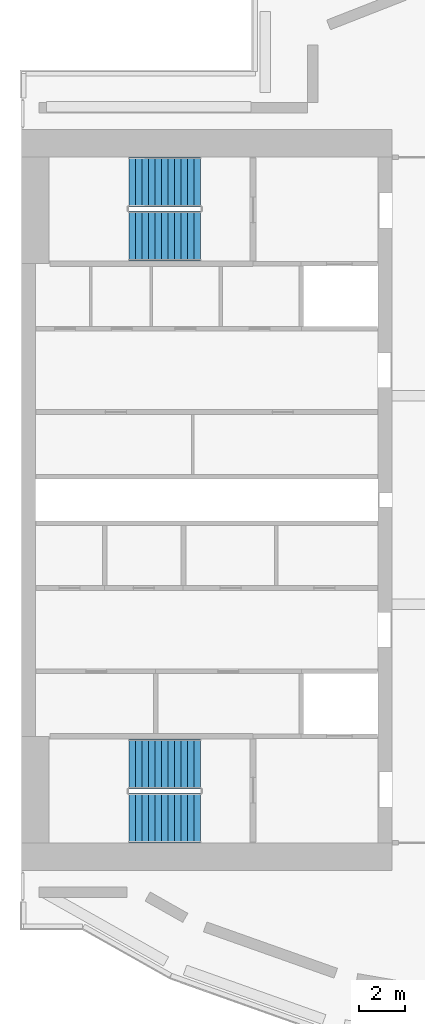
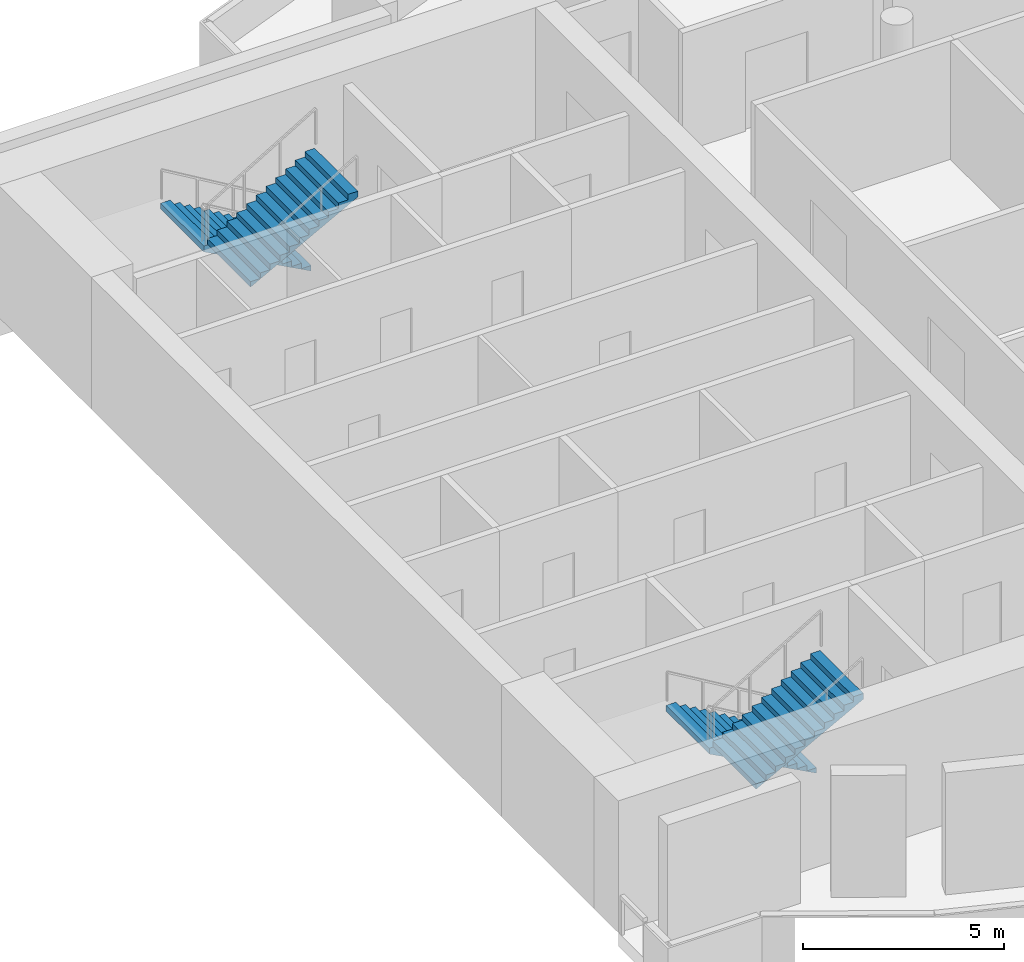
# One storey, part 5 of 8: 4 stair flights, 2 elements without a shape of their own.
"""IFC4 building model written with IfcOpenShell, lengths in metres."""

from ifc_helpers import new_model, si_unit, direction, frame, origin, place, context, subcontext, project, spatial, triangles, material, type_object, element, aggregate, save


model = new_model("IFC4")

# Units and contexts
model_context = context("Model", 3, precision=1e-05, world=origin(), true_north=direction((0.0, 1.0)))
body_context = subcontext(model_context, "Body", "Model", "MODEL_VIEW")
ifc_project = project(units=[si_unit("LENGTHUNIT", "METRE"), si_unit("AREAUNIT", "SQUARE_METRE"), si_unit("VOLUMEUNIT", "CUBIC_METRE"), si_unit("PLANEANGLEUNIT", "RADIAN"), si_unit("MASSUNIT", "GRAM", prefix="KILO")], contexts=[model_context])

# Site, building, storey
site_placement = place(None, origin())
site = spatial("IfcSite", under=ifc_project, at=site_placement, CompositionType="ELEMENT")
building_placement = place(site_placement, origin())
building = spatial("IfcBuilding", under=site, at=building_placement, Name="Cypress Arch Tower", CompositionType="ELEMENT")
storey_placement = place(building_placement, frame((0.0, 0.0, 343.0)))
storey = spatial("IfcBuildingStorey", under=building, at=storey_placement, Name="L78", CompositionType="ELEMENT", Elevation=343.0)

# Stair, stair flights
ifc_material_1 = material(Name="Concrete C40/50", Category="concrete")
stair_type = type_object("IfcStairType", Name="Exit stair ES1667-215", PredefinedType="HALF_TURN_STAIR", material=ifc_material_1)
stair_1_placement = place(storey_placement, origin())
stair_1 = element("IfcStair", 1, at=stair_1_placement, inside=storey, type_object=stair_type, Name="L78 Exit stair A", PredefinedType="HALF_TURN_STAIR")
ifc_material_2 = material(Name="Concrete C40/50", Category="concrete")
stair_flight_type = type_object("IfcStairFlightType", Name="Exit stair flight ES1667-215", PredefinedType="STRAIGHT", material=ifc_material_2)
stair_flight_1_placement = place(storey_placement, frame((-22.27490234375, -11.39990234375, 0.0), z_axis=(0.0, 0.0, 1.0), x_axis=(-1.0, 0.0, 0.0)))
stair_flight_1 = element("IfcStairFlight", 2, at=stair_flight_1_placement, type_object=stair_flight_type, Name="A flight 1", NumberOfRisers=12, NumberOfTreads=11, PredefinedType="STRAIGHT", RiserHeight=0.166666667, TreadLength=0.28, context=body_context, shape_type="Tessellation", body=[
    triangles([(0.0, -1.074951171875, 0.0), (0.000244140625, -1.074951171875, 0.0185546875), (0.000244140625, -1.074951171875, 0.037109375), (0.00048828125, -1.074951171875, 0.0556640625), (0.00048828125, -1.074951171875, 0.07421875), (0.00048828125, -1.074951171875, 0.092529296875), (0.00048828125, -1.074951171875, 0.111083984375), (0.000244140625, -1.074951171875, 0.129638671875), (0.000244140625, -1.074951171875, 0.148193359375), (0.0, -1.074951171875, 0.166748046875), (0.280029296875, -1.074951171875, 0.166748046875), (0.280029296875, -1.074951171875, 0.333251953125), (0.56005859375, -1.074951171875, 0.333251953125), (0.56005859375, -1.074951171875, 0.5), (0.840087890625, -1.074951171875, 0.5), (0.840087890625, -1.074951171875, 0.666748046875), (1.1201171875, -1.074951171875, 0.666748046875), (1.1201171875, -1.074951171875, 0.833251953125), (1.39990234375, -1.074951171875, 0.833251953125), (1.39990234375, -1.074951171875, 1.0), (1.679931640625, -1.074951171875, 1.0), (1.679931640625, -1.074951171875, 1.166748046875), (1.9599609375, -1.074951171875, 1.166748046875), (1.9599609375, -1.074951171875, 1.333251953125), (2.239990234375, -1.074951171875, 1.333251953125), (2.239990234375, -1.074951171875, 1.5), (2.52001953125, -1.074951171875, 1.5), (2.52001953125, -1.074951171875, 1.666748046875), (2.800048828125, -1.074951171875, 1.666748046875), (2.800048828125, -1.074951171875, 1.833251953125), (3.080078125, -1.074951171875, 1.833251953125), (3.079833984375, -1.074951171875, 1.81396484375), (3.079833984375, -1.074951171875, 1.79443359375), (3.07958984375, -1.074951171875, 1.775146484375), (3.07958984375, -1.074951171875, 1.755859375), (3.07958984375, -1.074951171875, 1.736328125), (3.07958984375, -1.074951171875, 1.717041015625), (3.079833984375, -1.074951171875, 1.69775390625), (3.079833984375, -1.074951171875, 1.67822265625), (3.080078125, -1.074951171875, 1.658935546875), (3.080078125, 1.074951171875, 1.658935546875), (3.079833984375, 1.074951171875, 1.67822265625), (3.079833984375, 1.074951171875, 1.69775390625), (3.07958984375, 1.074951171875, 1.717041015625), (3.07958984375, 1.074951171875, 1.736328125), (3.07958984375, 1.074951171875, 1.755859375), (3.07958984375, 1.074951171875, 1.775146484375), (3.079833984375, 1.074951171875, 1.79443359375), (3.079833984375, 1.074951171875, 1.81396484375), (3.080078125, 1.074951171875, 1.833251953125), (2.800048828125, 1.074951171875, 1.833251953125), (2.800048828125, 1.074951171875, 1.666748046875), (2.52001953125, 1.074951171875, 1.666748046875), (2.52001953125, 1.074951171875, 1.5), (2.239990234375, 1.074951171875, 1.5), (2.239990234375, 1.074951171875, 1.333251953125), (1.9599609375, 1.074951171875, 1.333251953125), (1.9599609375, 1.074951171875, 1.166748046875), (1.679931640625, 1.074951171875, 1.166748046875), (1.679931640625, 1.074951171875, 1.0), (1.39990234375, 1.074951171875, 1.0), (1.39990234375, 1.074951171875, 0.833251953125), (1.1201171875, 1.074951171875, 0.833251953125), (1.1201171875, 1.074951171875, 0.666748046875), (0.840087890625, 1.074951171875, 0.666748046875), (0.840087890625, 1.074951171875, 0.5), (0.56005859375, 1.074951171875, 0.5), (0.56005859375, 1.074951171875, 0.333251953125), (0.280029296875, 1.074951171875, 0.333251953125), (0.280029296875, 1.074951171875, 0.166748046875), (0.0, 1.074951171875, 0.166748046875), (0.000244140625, 1.074951171875, 0.148193359375), (0.000244140625, 1.074951171875, 0.129638671875), (0.00048828125, 1.074951171875, 0.111083984375), (0.00048828125, 1.074951171875, 0.092529296875), (0.00048828125, 1.074951171875, 0.07421875), (0.00048828125, 1.074951171875, 0.0556640625), (0.000244140625, 1.074951171875, 0.037109375), (0.000244140625, 1.074951171875, 0.0185546875), (0.0, 1.074951171875, 0.0)], [[40, 39, 30], [39, 38, 30], [38, 37, 30], [37, 36, 30], [36, 35, 30], [35, 34, 30], [34, 33, 30], [33, 32, 30], [32, 31, 30], [29, 28, 27], [27, 26, 25], [23, 22, 21], [21, 20, 19], [17, 16, 15], [15, 14, 13], [10, 9, 11], [9, 8, 11], [8, 7, 11], [7, 6, 11], [6, 5, 11], [5, 4, 11], [4, 3, 11], [3, 2, 11], [2, 1, 11], [19, 18, 17], [25, 24, 23], [13, 12, 11], [40, 30, 29], [40, 29, 27], [40, 27, 25], [40, 25, 23], [40, 23, 21], [40, 21, 19], [40, 19, 17], [40, 17, 15], [40, 15, 13], [1, 40, 13], [13, 11, 1], [41, 51, 42], [42, 51, 43], [43, 51, 44], [44, 51, 45], [45, 51, 46], [46, 51, 47], [47, 51, 48], [48, 51, 49], [49, 51, 50], [52, 54, 53], [54, 56, 55], [58, 60, 59], [60, 62, 61], [64, 66, 65], [66, 68, 67], [71, 70, 72], [72, 70, 73], [73, 70, 74], [74, 70, 75], [75, 70, 76], [76, 70, 77], [77, 70, 78], [78, 70, 79], [79, 70, 80], [62, 64, 63], [56, 58, 57], [68, 70, 69], [41, 52, 51], [41, 54, 52], [41, 56, 54], [41, 58, 56], [41, 60, 58], [41, 62, 60], [41, 64, 62], [41, 66, 64], [41, 68, 66], [80, 68, 41], [68, 80, 70], [41, 42, 39], [41, 39, 40], [42, 43, 38], [42, 38, 39], [43, 44, 37], [43, 37, 38], [44, 45, 36], [44, 36, 37], [45, 46, 35], [45, 35, 36], [46, 47, 34], [46, 34, 35], [47, 48, 33], [47, 33, 34], [48, 49, 32], [48, 32, 33], [49, 50, 31], [49, 31, 32], [50, 51, 30], [50, 30, 31], [51, 52, 29], [51, 29, 30], [52, 53, 28], [52, 28, 29], [53, 54, 27], [53, 27, 28], [54, 55, 26], [54, 26, 27], [55, 56, 25], [55, 25, 26], [56, 57, 24], [56, 24, 25], [57, 58, 23], [57, 23, 24], [58, 59, 22], [58, 22, 23], [59, 60, 21], [59, 21, 22], [60, 61, 20], [60, 20, 21], [61, 62, 19], [61, 19, 20], [62, 63, 18], [62, 18, 19], [63, 64, 17], [63, 17, 18], [64, 65, 16], [64, 16, 17], [65, 66, 15], [65, 15, 16], [66, 67, 14], [66, 14, 15], [67, 68, 13], [67, 13, 14], [68, 69, 12], [68, 12, 13], [69, 70, 11], [69, 11, 12], [70, 71, 10], [70, 10, 11], [71, 72, 9], [71, 9, 10], [72, 73, 8], [72, 8, 9], [73, 74, 7], [73, 7, 8], [74, 75, 6], [74, 6, 7], [75, 76, 5], [75, 5, 6], [76, 77, 4], [76, 4, 5], [77, 78, 3], [77, 3, 4], [78, 79, 2], [78, 2, 3], [79, 80, 1], [79, 1, 2], [80, 41, 40], [80, 40, 1]], closed=True),
])
stair_flight_2_placement = place(storey_placement, frame((-25.35498046875, -13.72509765625, 2.0), z_axis=(0.0, 0.0, 1.0), x_axis=(1.0, 0.0, 0.0)))
stair_flight_2 = element("IfcStairFlight", 3, at=stair_flight_2_placement, type_object=stair_flight_type, Name="A flight 2", NumberOfRisers=12, NumberOfTreads=11, PredefinedType="STRAIGHT", RiserHeight=0.166666667, TreadLength=0.28, context=body_context, shape_type="Tessellation", body=[
    triangles([(0.0, -1.074951171875, 0.0), (0.000244140625, -1.074951171875, 0.0185546875), (0.000244140625, -1.074951171875, 0.037109375), (0.00048828125, -1.074951171875, 0.0556640625), (0.00048828125, -1.074951171875, 0.07421875), (0.00048828125, -1.074951171875, 0.092529296875), (0.00048828125, -1.074951171875, 0.111083984375), (0.000244140625, -1.074951171875, 0.129638671875), (0.000244140625, -1.074951171875, 0.148193359375), (0.0, -1.074951171875, 0.166748046875), (0.280029296875, -1.074951171875, 0.166748046875), (0.280029296875, -1.074951171875, 0.333251953125), (0.56005859375, -1.074951171875, 0.333251953125), (0.56005859375, -1.074951171875, 0.5), (0.840087890625, -1.074951171875, 0.5), (0.840087890625, -1.074951171875, 0.666748046875), (1.1201171875, -1.074951171875, 0.666748046875), (1.1201171875, -1.074951171875, 0.833251953125), (1.39990234375, -1.074951171875, 0.833251953125), (1.39990234375, -1.074951171875, 1.0), (1.679931640625, -1.074951171875, 1.0), (1.679931640625, -1.074951171875, 1.166748046875), (1.9599609375, -1.074951171875, 1.166748046875), (1.9599609375, -1.074951171875, 1.333251953125), (2.239990234375, -1.074951171875, 1.333251953125), (2.239990234375, -1.074951171875, 1.5), (2.52001953125, -1.074951171875, 1.5), (2.52001953125, -1.074951171875, 1.666748046875), (2.800048828125, -1.074951171875, 1.666748046875), (2.800048828125, -1.074951171875, 1.833251953125), (3.080078125, -1.074951171875, 1.833251953125), (3.079833984375, -1.074951171875, 1.81396484375), (3.079833984375, -1.074951171875, 1.79443359375), (3.07958984375, -1.074951171875, 1.775146484375), (3.07958984375, -1.074951171875, 1.755859375), (3.07958984375, -1.074951171875, 1.736328125), (3.07958984375, -1.074951171875, 1.717041015625), (3.079833984375, -1.074951171875, 1.69775390625), (3.079833984375, -1.074951171875, 1.67822265625), (3.080078125, -1.074951171875, 1.658935546875), (3.080078125, 1.074951171875, 1.658935546875), (3.079833984375, 1.074951171875, 1.67822265625), (3.079833984375, 1.074951171875, 1.69775390625), (3.07958984375, 1.074951171875, 1.717041015625), (3.07958984375, 1.074951171875, 1.736328125), (3.07958984375, 1.074951171875, 1.755859375), (3.07958984375, 1.074951171875, 1.775146484375), (3.079833984375, 1.074951171875, 1.79443359375), (3.079833984375, 1.074951171875, 1.81396484375), (3.080078125, 1.074951171875, 1.833251953125), (2.800048828125, 1.074951171875, 1.833251953125), (2.800048828125, 1.074951171875, 1.666748046875), (2.52001953125, 1.074951171875, 1.666748046875), (2.52001953125, 1.074951171875, 1.5), (2.239990234375, 1.074951171875, 1.5), (2.239990234375, 1.074951171875, 1.333251953125), (1.9599609375, 1.074951171875, 1.333251953125), (1.9599609375, 1.074951171875, 1.166748046875), (1.679931640625, 1.074951171875, 1.166748046875), (1.679931640625, 1.074951171875, 1.0), (1.39990234375, 1.074951171875, 1.0), (1.39990234375, 1.074951171875, 0.833251953125), (1.1201171875, 1.074951171875, 0.833251953125), (1.1201171875, 1.074951171875, 0.666748046875), (0.840087890625, 1.074951171875, 0.666748046875), (0.840087890625, 1.074951171875, 0.5), (0.56005859375, 1.074951171875, 0.5), (0.56005859375, 1.074951171875, 0.333251953125), (0.280029296875, 1.074951171875, 0.333251953125), (0.280029296875, 1.074951171875, 0.166748046875), (0.0, 1.074951171875, 0.166748046875), (0.000244140625, 1.074951171875, 0.148193359375), (0.000244140625, 1.074951171875, 0.129638671875), (0.00048828125, 1.074951171875, 0.111083984375), (0.00048828125, 1.074951171875, 0.092529296875), (0.00048828125, 1.074951171875, 0.07421875), (0.00048828125, 1.074951171875, 0.0556640625), (0.000244140625, 1.074951171875, 0.037109375), (0.000244140625, 1.074951171875, 0.0185546875), (0.0, 1.074951171875, 0.0)], [[40, 39, 30], [39, 38, 30], [38, 37, 30], [37, 36, 30], [36, 35, 30], [35, 34, 30], [34, 33, 30], [33, 32, 30], [32, 31, 30], [29, 28, 27], [27, 26, 25], [23, 22, 21], [21, 20, 19], [17, 16, 15], [15, 14, 13], [10, 9, 11], [9, 8, 11], [8, 7, 11], [7, 6, 11], [6, 5, 11], [5, 4, 11], [4, 3, 11], [3, 2, 11], [2, 1, 11], [19, 18, 17], [25, 24, 23], [13, 12, 11], [40, 30, 29], [40, 29, 27], [40, 27, 25], [40, 25, 23], [40, 23, 21], [40, 21, 19], [40, 19, 17], [40, 17, 15], [40, 15, 13], [1, 40, 13], [13, 11, 1], [41, 51, 42], [42, 51, 43], [43, 51, 44], [44, 51, 45], [45, 51, 46], [46, 51, 47], [47, 51, 48], [48, 51, 49], [49, 51, 50], [52, 54, 53], [54, 56, 55], [58, 60, 59], [60, 62, 61], [64, 66, 65], [66, 68, 67], [71, 70, 72], [72, 70, 73], [73, 70, 74], [74, 70, 75], [75, 70, 76], [76, 70, 77], [77, 70, 78], [78, 70, 79], [79, 70, 80], [62, 64, 63], [56, 58, 57], [68, 70, 69], [41, 52, 51], [41, 54, 52], [41, 56, 54], [41, 58, 56], [41, 60, 58], [41, 62, 60], [41, 64, 62], [41, 66, 64], [41, 68, 66], [80, 68, 41], [68, 80, 70], [41, 42, 39], [41, 39, 40], [42, 43, 38], [42, 38, 39], [43, 44, 37], [43, 37, 38], [44, 45, 36], [44, 36, 37], [45, 46, 35], [45, 35, 36], [46, 47, 34], [46, 34, 35], [47, 48, 33], [47, 33, 34], [48, 49, 32], [48, 32, 33], [49, 50, 31], [49, 31, 32], [50, 51, 30], [50, 30, 31], [51, 52, 29], [51, 29, 30], [52, 53, 28], [52, 28, 29], [53, 54, 27], [53, 27, 28], [54, 55, 26], [54, 26, 27], [55, 56, 25], [55, 25, 26], [56, 57, 24], [56, 24, 25], [57, 58, 23], [57, 23, 24], [58, 59, 22], [58, 22, 23], [59, 60, 21], [59, 21, 22], [60, 61, 20], [60, 20, 21], [61, 62, 19], [61, 19, 20], [62, 63, 18], [62, 18, 19], [63, 64, 17], [63, 17, 18], [64, 65, 16], [64, 16, 17], [65, 66, 15], [65, 15, 16], [66, 67, 14], [66, 14, 15], [67, 68, 13], [67, 13, 14], [68, 69, 12], [68, 12, 13], [69, 70, 11], [69, 11, 12], [70, 71, 10], [70, 10, 11], [71, 72, 9], [71, 9, 10], [72, 73, 8], [72, 8, 9], [73, 74, 7], [73, 7, 8], [74, 75, 6], [74, 6, 7], [75, 76, 5], [75, 5, 6], [76, 77, 4], [76, 4, 5], [77, 78, 3], [77, 3, 4], [78, 79, 2], [78, 2, 3], [79, 80, 1], [79, 1, 2], [80, 41, 40], [80, 40, 1]], closed=True),
])
aggregate(stair_1, [stair_flight_1, stair_flight_2])

stair_2_placement = place(storey_placement, origin())
stair_2 = element("IfcStair", 4, at=stair_2_placement, inside=storey, type_object=stair_type, Name="L78 Exit stair B", PredefinedType="HALF_TURN_STAIR")
stair_flight_3_placement = place(storey_placement, frame((-22.27490234375, 13.72509765625, 0.0), z_axis=(0.0, 0.0, 1.0), x_axis=(-1.0, 0.0, 0.0)))
stair_flight_3 = element("IfcStairFlight", 5, at=stair_flight_3_placement, type_object=stair_flight_type, Name="B flight 1", NumberOfRisers=12, NumberOfTreads=11, PredefinedType="STRAIGHT", RiserHeight=0.166666667, TreadLength=0.28, context=body_context, shape_type="Tessellation", body=[
    triangles([(0.0, -1.074951171875, 0.0), (0.000244140625, -1.074951171875, 0.0185546875), (0.000244140625, -1.074951171875, 0.037109375), (0.00048828125, -1.074951171875, 0.0556640625), (0.00048828125, -1.074951171875, 0.07421875), (0.00048828125, -1.074951171875, 0.092529296875), (0.00048828125, -1.074951171875, 0.111083984375), (0.000244140625, -1.074951171875, 0.129638671875), (0.000244140625, -1.074951171875, 0.148193359375), (0.0, -1.074951171875, 0.166748046875), (0.280029296875, -1.074951171875, 0.166748046875), (0.280029296875, -1.074951171875, 0.333251953125), (0.56005859375, -1.074951171875, 0.333251953125), (0.56005859375, -1.074951171875, 0.5), (0.840087890625, -1.074951171875, 0.5), (0.840087890625, -1.074951171875, 0.666748046875), (1.1201171875, -1.074951171875, 0.666748046875), (1.1201171875, -1.074951171875, 0.833251953125), (1.39990234375, -1.074951171875, 0.833251953125), (1.39990234375, -1.074951171875, 1.0), (1.679931640625, -1.074951171875, 1.0), (1.679931640625, -1.074951171875, 1.166748046875), (1.9599609375, -1.074951171875, 1.166748046875), (1.9599609375, -1.074951171875, 1.333251953125), (2.239990234375, -1.074951171875, 1.333251953125), (2.239990234375, -1.074951171875, 1.5), (2.52001953125, -1.074951171875, 1.5), (2.52001953125, -1.074951171875, 1.666748046875), (2.800048828125, -1.074951171875, 1.666748046875), (2.800048828125, -1.074951171875, 1.833251953125), (3.080078125, -1.074951171875, 1.833251953125), (3.079833984375, -1.074951171875, 1.81396484375), (3.079833984375, -1.074951171875, 1.79443359375), (3.07958984375, -1.074951171875, 1.775146484375), (3.07958984375, -1.074951171875, 1.755859375), (3.07958984375, -1.074951171875, 1.736328125), (3.07958984375, -1.074951171875, 1.717041015625), (3.079833984375, -1.074951171875, 1.69775390625), (3.079833984375, -1.074951171875, 1.67822265625), (3.080078125, -1.074951171875, 1.658935546875), (3.080078125, 1.074951171875, 1.658935546875), (3.079833984375, 1.074951171875, 1.67822265625), (3.079833984375, 1.074951171875, 1.69775390625), (3.07958984375, 1.074951171875, 1.717041015625), (3.07958984375, 1.074951171875, 1.736328125), (3.07958984375, 1.074951171875, 1.755859375), (3.07958984375, 1.074951171875, 1.775146484375), (3.079833984375, 1.074951171875, 1.79443359375), (3.079833984375, 1.074951171875, 1.81396484375), (3.080078125, 1.074951171875, 1.833251953125), (2.800048828125, 1.074951171875, 1.833251953125), (2.800048828125, 1.074951171875, 1.666748046875), (2.52001953125, 1.074951171875, 1.666748046875), (2.52001953125, 1.074951171875, 1.5), (2.239990234375, 1.074951171875, 1.5), (2.239990234375, 1.074951171875, 1.333251953125), (1.9599609375, 1.074951171875, 1.333251953125), (1.9599609375, 1.074951171875, 1.166748046875), (1.679931640625, 1.074951171875, 1.166748046875), (1.679931640625, 1.074951171875, 1.0), (1.39990234375, 1.074951171875, 1.0), (1.39990234375, 1.074951171875, 0.833251953125), (1.1201171875, 1.074951171875, 0.833251953125), (1.1201171875, 1.074951171875, 0.666748046875), (0.840087890625, 1.074951171875, 0.666748046875), (0.840087890625, 1.074951171875, 0.5), (0.56005859375, 1.074951171875, 0.5), (0.56005859375, 1.074951171875, 0.333251953125), (0.280029296875, 1.074951171875, 0.333251953125), (0.280029296875, 1.074951171875, 0.166748046875), (0.0, 1.074951171875, 0.166748046875), (0.000244140625, 1.074951171875, 0.148193359375), (0.000244140625, 1.074951171875, 0.129638671875), (0.00048828125, 1.074951171875, 0.111083984375), (0.00048828125, 1.074951171875, 0.092529296875), (0.00048828125, 1.074951171875, 0.07421875), (0.00048828125, 1.074951171875, 0.0556640625), (0.000244140625, 1.074951171875, 0.037109375), (0.000244140625, 1.074951171875, 0.0185546875), (0.0, 1.074951171875, 0.0)], [[40, 39, 30], [39, 38, 30], [38, 37, 30], [37, 36, 30], [36, 35, 30], [35, 34, 30], [34, 33, 30], [33, 32, 30], [32, 31, 30], [29, 28, 27], [27, 26, 25], [23, 22, 21], [21, 20, 19], [17, 16, 15], [15, 14, 13], [10, 9, 11], [9, 8, 11], [8, 7, 11], [7, 6, 11], [6, 5, 11], [5, 4, 11], [4, 3, 11], [3, 2, 11], [2, 1, 11], [19, 18, 17], [25, 24, 23], [13, 12, 11], [40, 30, 29], [40, 29, 27], [40, 27, 25], [40, 25, 23], [40, 23, 21], [40, 21, 19], [40, 19, 17], [40, 17, 15], [40, 15, 13], [1, 40, 13], [13, 11, 1], [41, 51, 42], [42, 51, 43], [43, 51, 44], [44, 51, 45], [45, 51, 46], [46, 51, 47], [47, 51, 48], [48, 51, 49], [49, 51, 50], [52, 54, 53], [54, 56, 55], [58, 60, 59], [60, 62, 61], [64, 66, 65], [66, 68, 67], [71, 70, 72], [72, 70, 73], [73, 70, 74], [74, 70, 75], [75, 70, 76], [76, 70, 77], [77, 70, 78], [78, 70, 79], [79, 70, 80], [62, 64, 63], [56, 58, 57], [68, 70, 69], [41, 52, 51], [41, 54, 52], [41, 56, 54], [41, 58, 56], [41, 60, 58], [41, 62, 60], [41, 64, 62], [41, 66, 64], [41, 68, 66], [80, 68, 41], [68, 80, 70], [41, 42, 39], [41, 39, 40], [42, 43, 38], [42, 38, 39], [43, 44, 37], [43, 37, 38], [44, 45, 36], [44, 36, 37], [45, 46, 35], [45, 35, 36], [46, 47, 34], [46, 34, 35], [47, 48, 33], [47, 33, 34], [48, 49, 32], [48, 32, 33], [49, 50, 31], [49, 31, 32], [50, 51, 30], [50, 30, 31], [51, 52, 29], [51, 29, 30], [52, 53, 28], [52, 28, 29], [53, 54, 27], [53, 27, 28], [54, 55, 26], [54, 26, 27], [55, 56, 25], [55, 25, 26], [56, 57, 24], [56, 24, 25], [57, 58, 23], [57, 23, 24], [58, 59, 22], [58, 22, 23], [59, 60, 21], [59, 21, 22], [60, 61, 20], [60, 20, 21], [61, 62, 19], [61, 19, 20], [62, 63, 18], [62, 18, 19], [63, 64, 17], [63, 17, 18], [64, 65, 16], [64, 16, 17], [65, 66, 15], [65, 15, 16], [66, 67, 14], [66, 14, 15], [67, 68, 13], [67, 13, 14], [68, 69, 12], [68, 12, 13], [69, 70, 11], [69, 11, 12], [70, 71, 10], [70, 10, 11], [71, 72, 9], [71, 9, 10], [72, 73, 8], [72, 8, 9], [73, 74, 7], [73, 7, 8], [74, 75, 6], [74, 6, 7], [75, 76, 5], [75, 5, 6], [76, 77, 4], [76, 4, 5], [77, 78, 3], [77, 3, 4], [78, 79, 2], [78, 2, 3], [79, 80, 1], [79, 1, 2], [80, 41, 40], [80, 40, 1]], closed=True),
])
stair_flight_4_placement = place(storey_placement, frame((-25.35498046875, 11.39990234375, 2.0), z_axis=(0.0, 0.0, 1.0), x_axis=(1.0, 0.0, 0.0)))
stair_flight_4 = element("IfcStairFlight", 6, at=stair_flight_4_placement, type_object=stair_flight_type, Name="B flight 2", NumberOfRisers=12, NumberOfTreads=11, PredefinedType="STRAIGHT", RiserHeight=0.166666667, TreadLength=0.28, context=body_context, shape_type="Tessellation", body=[
    triangles([(0.0, -1.074951171875, 0.0), (0.000244140625, -1.074951171875, 0.0185546875), (0.000244140625, -1.074951171875, 0.037109375), (0.00048828125, -1.074951171875, 0.0556640625), (0.00048828125, -1.074951171875, 0.07421875), (0.00048828125, -1.074951171875, 0.092529296875), (0.00048828125, -1.074951171875, 0.111083984375), (0.000244140625, -1.074951171875, 0.129638671875), (0.000244140625, -1.074951171875, 0.148193359375), (0.0, -1.074951171875, 0.166748046875), (0.280029296875, -1.074951171875, 0.166748046875), (0.280029296875, -1.074951171875, 0.333251953125), (0.56005859375, -1.074951171875, 0.333251953125), (0.56005859375, -1.074951171875, 0.5), (0.840087890625, -1.074951171875, 0.5), (0.840087890625, -1.074951171875, 0.666748046875), (1.1201171875, -1.074951171875, 0.666748046875), (1.1201171875, -1.074951171875, 0.833251953125), (1.39990234375, -1.074951171875, 0.833251953125), (1.39990234375, -1.074951171875, 1.0), (1.679931640625, -1.074951171875, 1.0), (1.679931640625, -1.074951171875, 1.166748046875), (1.9599609375, -1.074951171875, 1.166748046875), (1.9599609375, -1.074951171875, 1.333251953125), (2.239990234375, -1.074951171875, 1.333251953125), (2.239990234375, -1.074951171875, 1.5), (2.52001953125, -1.074951171875, 1.5), (2.52001953125, -1.074951171875, 1.666748046875), (2.800048828125, -1.074951171875, 1.666748046875), (2.800048828125, -1.074951171875, 1.833251953125), (3.080078125, -1.074951171875, 1.833251953125), (3.079833984375, -1.074951171875, 1.81396484375), (3.079833984375, -1.074951171875, 1.79443359375), (3.07958984375, -1.074951171875, 1.775146484375), (3.07958984375, -1.074951171875, 1.755859375), (3.07958984375, -1.074951171875, 1.736328125), (3.07958984375, -1.074951171875, 1.717041015625), (3.079833984375, -1.074951171875, 1.69775390625), (3.079833984375, -1.074951171875, 1.67822265625), (3.080078125, -1.074951171875, 1.658935546875), (3.080078125, 1.074951171875, 1.658935546875), (3.079833984375, 1.074951171875, 1.67822265625), (3.079833984375, 1.074951171875, 1.69775390625), (3.07958984375, 1.074951171875, 1.717041015625), (3.07958984375, 1.074951171875, 1.736328125), (3.07958984375, 1.074951171875, 1.755859375), (3.07958984375, 1.074951171875, 1.775146484375), (3.079833984375, 1.074951171875, 1.79443359375), (3.079833984375, 1.074951171875, 1.81396484375), (3.080078125, 1.074951171875, 1.833251953125), (2.800048828125, 1.074951171875, 1.833251953125), (2.800048828125, 1.074951171875, 1.666748046875), (2.52001953125, 1.074951171875, 1.666748046875), (2.52001953125, 1.074951171875, 1.5), (2.239990234375, 1.074951171875, 1.5), (2.239990234375, 1.074951171875, 1.333251953125), (1.9599609375, 1.074951171875, 1.333251953125), (1.9599609375, 1.074951171875, 1.166748046875), (1.679931640625, 1.074951171875, 1.166748046875), (1.679931640625, 1.074951171875, 1.0), (1.39990234375, 1.074951171875, 1.0), (1.39990234375, 1.074951171875, 0.833251953125), (1.1201171875, 1.074951171875, 0.833251953125), (1.1201171875, 1.074951171875, 0.666748046875), (0.840087890625, 1.074951171875, 0.666748046875), (0.840087890625, 1.074951171875, 0.5), (0.56005859375, 1.074951171875, 0.5), (0.56005859375, 1.074951171875, 0.333251953125), (0.280029296875, 1.074951171875, 0.333251953125), (0.280029296875, 1.074951171875, 0.166748046875), (0.0, 1.074951171875, 0.166748046875), (0.000244140625, 1.074951171875, 0.148193359375), (0.000244140625, 1.074951171875, 0.129638671875), (0.00048828125, 1.074951171875, 0.111083984375), (0.00048828125, 1.074951171875, 0.092529296875), (0.00048828125, 1.074951171875, 0.07421875), (0.00048828125, 1.074951171875, 0.0556640625), (0.000244140625, 1.074951171875, 0.037109375), (0.000244140625, 1.074951171875, 0.0185546875), (0.0, 1.074951171875, 0.0)], [[40, 39, 30], [39, 38, 30], [38, 37, 30], [37, 36, 30], [36, 35, 30], [35, 34, 30], [34, 33, 30], [33, 32, 30], [32, 31, 30], [29, 28, 27], [27, 26, 25], [23, 22, 21], [21, 20, 19], [17, 16, 15], [15, 14, 13], [10, 9, 11], [9, 8, 11], [8, 7, 11], [7, 6, 11], [6, 5, 11], [5, 4, 11], [4, 3, 11], [3, 2, 11], [2, 1, 11], [19, 18, 17], [25, 24, 23], [13, 12, 11], [40, 30, 29], [40, 29, 27], [40, 27, 25], [40, 25, 23], [40, 23, 21], [40, 21, 19], [40, 19, 17], [40, 17, 15], [40, 15, 13], [1, 40, 13], [13, 11, 1], [41, 51, 42], [42, 51, 43], [43, 51, 44], [44, 51, 45], [45, 51, 46], [46, 51, 47], [47, 51, 48], [48, 51, 49], [49, 51, 50], [52, 54, 53], [54, 56, 55], [58, 60, 59], [60, 62, 61], [64, 66, 65], [66, 68, 67], [71, 70, 72], [72, 70, 73], [73, 70, 74], [74, 70, 75], [75, 70, 76], [76, 70, 77], [77, 70, 78], [78, 70, 79], [79, 70, 80], [62, 64, 63], [56, 58, 57], [68, 70, 69], [41, 52, 51], [41, 54, 52], [41, 56, 54], [41, 58, 56], [41, 60, 58], [41, 62, 60], [41, 64, 62], [41, 66, 64], [41, 68, 66], [80, 68, 41], [68, 80, 70], [41, 42, 39], [41, 39, 40], [42, 43, 38], [42, 38, 39], [43, 44, 37], [43, 37, 38], [44, 45, 36], [44, 36, 37], [45, 46, 35], [45, 35, 36], [46, 47, 34], [46, 34, 35], [47, 48, 33], [47, 33, 34], [48, 49, 32], [48, 32, 33], [49, 50, 31], [49, 31, 32], [50, 51, 30], [50, 30, 31], [51, 52, 29], [51, 29, 30], [52, 53, 28], [52, 28, 29], [53, 54, 27], [53, 27, 28], [54, 55, 26], [54, 26, 27], [55, 56, 25], [55, 25, 26], [56, 57, 24], [56, 24, 25], [57, 58, 23], [57, 23, 24], [58, 59, 22], [58, 22, 23], [59, 60, 21], [59, 21, 22], [60, 61, 20], [60, 20, 21], [61, 62, 19], [61, 19, 20], [62, 63, 18], [62, 18, 19], [63, 64, 17], [63, 17, 18], [64, 65, 16], [64, 16, 17], [65, 66, 15], [65, 15, 16], [66, 67, 14], [66, 14, 15], [67, 68, 13], [67, 13, 14], [68, 69, 12], [68, 12, 13], [69, 70, 11], [69, 11, 12], [70, 71, 10], [70, 10, 11], [71, 72, 9], [71, 9, 10], [72, 73, 8], [72, 8, 9], [73, 74, 7], [73, 7, 8], [74, 75, 6], [74, 6, 7], [75, 76, 5], [75, 5, 6], [76, 77, 4], [76, 4, 5], [77, 78, 3], [77, 3, 4], [78, 79, 2], [78, 2, 3], [79, 80, 1], [79, 1, 2], [80, 41, 40], [80, 40, 1]], closed=True),
])
aggregate(stair_2, [stair_flight_3, stair_flight_4])

save(model, "model.ifc")
